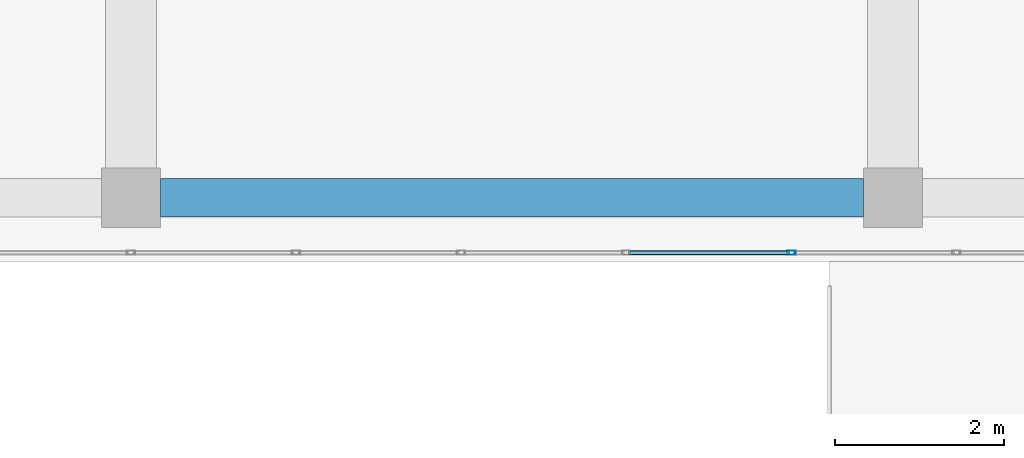
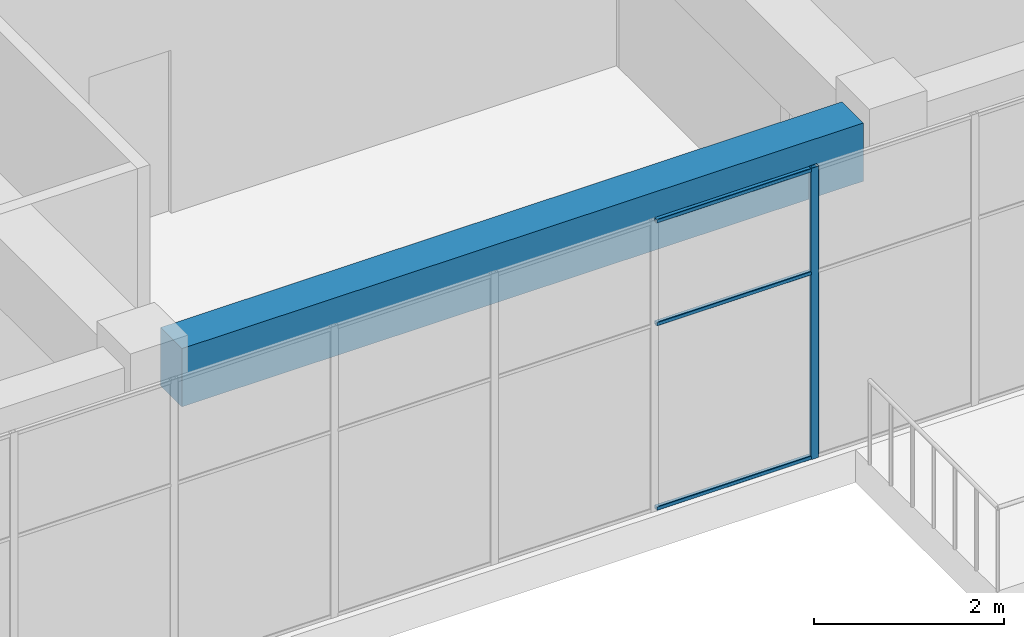
# One storey, part 16 of 49: 4 members, 1 beam, 1 element without a shape of its own.
"""IFC4 building model written with IfcOpenShell, lengths in metres."""

from ifc_helpers import new_model, si_unit, direction, frame, origin, origin_2d, place, context, subcontext, project, spatial, rectangle, hollow_rectangle, extrude, material, layer, layer_set, material_profile, profile_set, type_object, element, aggregate, save


model = new_model("IFC4")

# Units and contexts
model_context = context("Model", 3, precision=1e-05, world=origin(), true_north=direction((0.0, 1.0)))
body_context = subcontext(model_context, "Body", "Model", "MODEL_VIEW")
ifc_project = project(units=[si_unit("LENGTHUNIT", "METRE"), si_unit("AREAUNIT", "SQUARE_METRE"), si_unit("VOLUMEUNIT", "CUBIC_METRE"), si_unit("PLANEANGLEUNIT", "RADIAN"), si_unit("MASSUNIT", "GRAM", prefix="KILO")], contexts=[model_context])

# Site, building, storey
site_placement = place(None, origin())
site = spatial("IfcSite", under=ifc_project, at=site_placement, CompositionType="ELEMENT")
building_placement = place(site_placement, origin())
building = spatial("IfcBuilding", under=site, at=building_placement, Name="Tuart Plaza Theatre", CompositionType="ELEMENT")
storey_placement = place(building_placement, frame((0.0, 0.0, 29.5)))
storey = spatial("IfcBuildingStorey", under=building, at=storey_placement, Name="L07", CompositionType="ELEMENT", Elevation=29.5)

# Beam
ifc_material_1 = material(Name="Concrete N40 (40 MPa)", Category="concrete")
ifc_material_profile_1 = material_profile(ifc_material_1, rectangle(XDim=0.449951171875, YDim=0.75, at=origin_2d()), Name="BEAM 450x750 Concrete N40 (40 MPa)")
ifc_profile_set_1 = profile_set([ifc_material_profile_1], Name="Concrete N40 (40 MPa)")
beam_type = type_object("IfcBeamType", Name="BEAM 450x750 Concrete N40 (40 MPa)", PredefinedType="BEAM", material=ifc_profile_set_1)
beam_placement = place(storey_placement, frame((123.35009765625, 56.0, 3.375), z_axis=(1.0, 0.0, 0.0), x_axis=(0.0, 1.0, 0.0)))
element("IfcBeam", 1, at=beam_placement, inside=storey, type_object=beam_type, Name="RB265", PredefinedType="BEAM", context=body_context, shape_type="SweptSolid", body=[
    extrude(rectangle(XDim=0.449951171875, YDim=0.75, at=origin_2d()), origin(), (0.0, 0.0, 1.0), 8.2998046875),
])

# Curtain wall, members
ifc_material_2 = material(Name="Aluminium and glass", Category="aluminium")
ifc_layer = layer(ifc_material_2, 0.10009765625)
ifc_layer_set = layer_set([ifc_layer], Name="CURTAIN WALL 2000 module")
curtain_wall_type = type_object("IfcCurtainWallType", Name="CURTAIN WALL 2000 module", PredefinedType="NOTDEFINED", material=ifc_layer_set)
curtain_wall_placement = place(storey_placement, origin())
curtain_wall = element("IfcCurtainWall", 2, at=curtain_wall_placement, inside=storey, type_object=curtain_wall_type, Name="CW88", PredefinedType="NOTDEFINED")
ifc_material_3 = material(Name="Aluminium 6063-T5", Category="aluminium")
ifc_material_profile_2 = material_profile(ifc_material_3, hollow_rectangle(XDim=0.050048828125, YDim=0.10009765625, WallThickness=0.00390625, InnerFilletRadius=0.00390625, OuterFilletRadius=0.008056640625, at=origin_2d()), Name="RHS 100x50x4")
ifc_profile_set_2 = profile_set([ifc_material_profile_2], Name="Aluminium 6063-T5")
member_type_1 = type_object("IfcMemberType", Name="MULLION RHS 100x50x4", PredefinedType="MULLION", material=ifc_profile_set_2)
member_1_placement = place(storey_placement, frame((130.800048828125, 55.35009765625, 0.0), z_axis=(0.0, 0.0, 1.0), x_axis=(0.0, 1.0, 0.0)))
member_1 = element("IfcMember", 3, at=member_1_placement, type_object=member_type_1, Name="CW88 mullion 10", PredefinedType="MULLION", context=body_context, shape_type="SweptSolid", body=[
    extrude(hollow_rectangle(XDim=0.050048828125, YDim=0.10009765625, WallThickness=0.00390625, InnerFilletRadius=0.00390625, OuterFilletRadius=0.008056640625, at=origin_2d()), origin(), (0.0, 0.0, 1.0), 3.75),
])
ifc_material_4 = material(Name="Aluminium 6063-T5", Category="aluminium")
ifc_material_profile_3 = material_profile(ifc_material_4, hollow_rectangle(XDim=0.050048828125, YDim=0.050048828125, WallThickness=0.00390625, InnerFilletRadius=0.00390625, OuterFilletRadius=0.008056640625, at=origin_2d()), Name="RHS 50x50x4")
ifc_profile_set_3 = profile_set([ifc_material_profile_3], Name="Aluminium 6063-T5")
member_type_2 = type_object("IfcMemberType", Name="TRANSOM RHS 50x50x4", PredefinedType="USERDEFINED", material=ifc_profile_set_3)
member_2_placement = place(storey_placement, frame((128.875, 55.35009765625, 0.02490234375), z_axis=(1.0, 0.0, 0.0), x_axis=(0.0, 1.0, 0.0)))
member_2 = element("IfcMember", 4, at=member_2_placement, type_object=member_type_2, Name="CW88 transom 9.1", ObjectType="TRANSOM", PredefinedType="USERDEFINED", context=body_context, shape_type="SweptSolid", body=[
    extrude(hollow_rectangle(XDim=0.050048828125, YDim=0.050048828125, WallThickness=0.00390625, InnerFilletRadius=0.00390625, OuterFilletRadius=0.008056640625, at=origin_2d()), origin(), (0.0, 0.0, 1.0), 1.89990234375),
])
member_3_placement = place(storey_placement, frame((128.875, 55.35009765625, 2.39990234375), z_axis=(1.0, 0.0, 0.0), x_axis=(0.0, 1.0, 0.0)))
member_3 = element("IfcMember", 5, at=member_3_placement, type_object=member_type_2, Name="CW88 transom 9.2", ObjectType="TRANSOM", PredefinedType="USERDEFINED", context=body_context, shape_type="SweptSolid", body=[
    extrude(hollow_rectangle(XDim=0.050048828125, YDim=0.050048828125, WallThickness=0.00390625, InnerFilletRadius=0.00390625, OuterFilletRadius=0.008056640625, at=origin_2d()), origin(), (0.0, 0.0, 1.0), 1.89990234375),
])
member_4_placement = place(storey_placement, frame((128.875, 55.35009765625, 3.72509765625), z_axis=(1.0, 0.0, 0.0), x_axis=(0.0, 1.0, 0.0)))
member_4 = element("IfcMember", 6, at=member_4_placement, type_object=member_type_2, Name="CW88 transom 9.3", ObjectType="TRANSOM", PredefinedType="USERDEFINED", context=body_context, shape_type="SweptSolid", body=[
    extrude(hollow_rectangle(XDim=0.050048828125, YDim=0.050048828125, WallThickness=0.00390625, InnerFilletRadius=0.00390625, OuterFilletRadius=0.008056640625, at=origin_2d()), origin(), (0.0, 0.0, 1.0), 1.89990234375),
])
aggregate(curtain_wall, [member_1, member_2, member_3, member_4])

save(model, "model.ifc")
